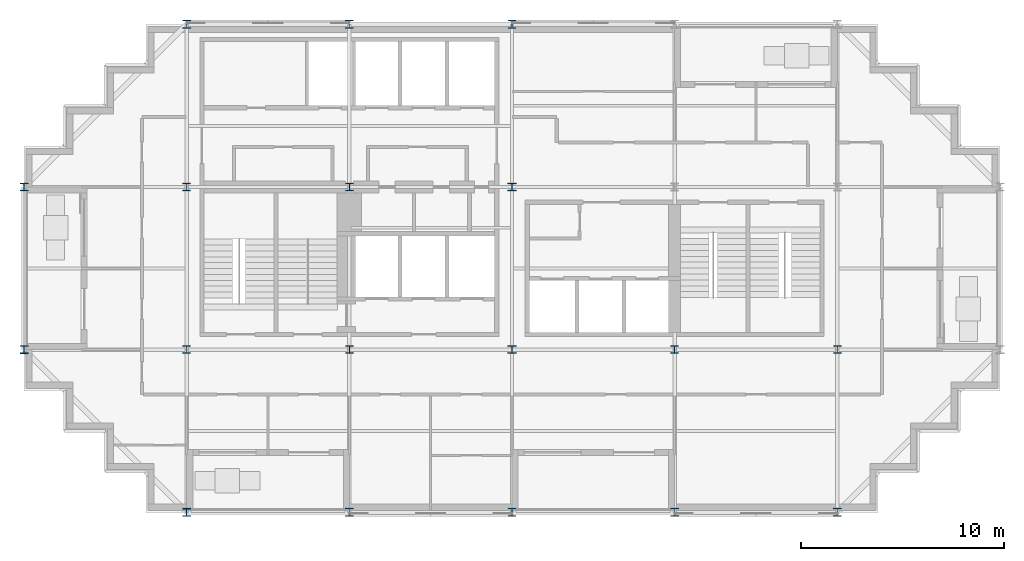
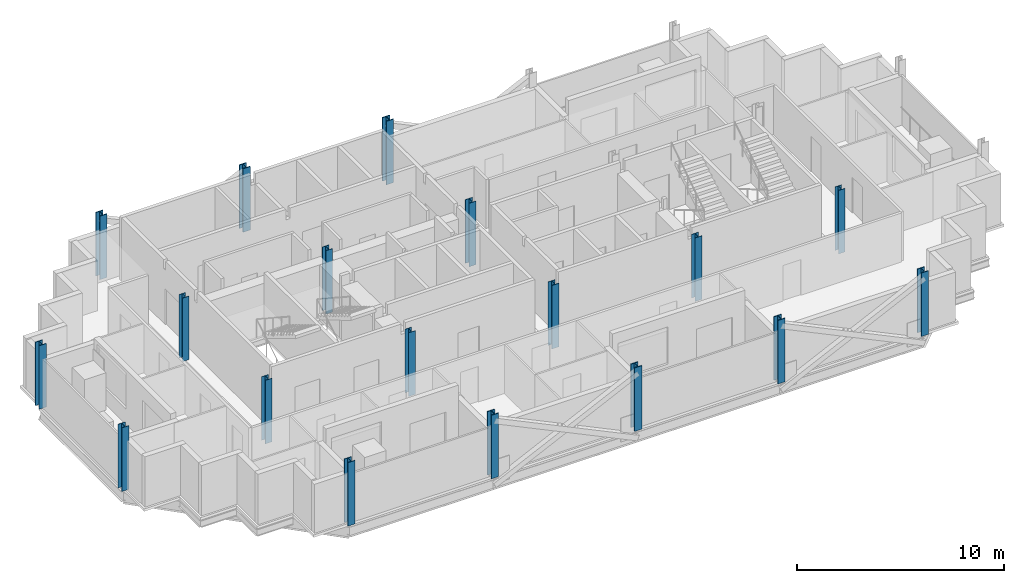
# One storey, part 1 of 10: 18 columns.
"""IFC4 building model written with IfcOpenShell, lengths in metres."""

from ifc_helpers import new_model, si_unit, direction, frame, origin, origin_2d, place, context, subcontext, project, spatial, i_section, extrude, material, material_profile, profile_set, type_object, element, save


model = new_model("IFC4")

# Units and contexts
model_context = context("Model", 3, precision=1e-05, world=origin(), true_north=direction((0.0, 1.0)))
body_context = subcontext(model_context, "Body", "Model", "MODEL_VIEW")
ifc_project = project(units=[si_unit("LENGTHUNIT", "METRE"), si_unit("AREAUNIT", "SQUARE_METRE"), si_unit("VOLUMEUNIT", "CUBIC_METRE"), si_unit("PLANEANGLEUNIT", "RADIAN"), si_unit("MASSUNIT", "GRAM", prefix="KILO")], contexts=[model_context])

# Site, building, storey
site_placement = place(None, origin())
site = spatial("IfcSite", under=ifc_project, at=site_placement, CompositionType="ELEMENT")
building_placement = place(site_placement, origin())
building = spatial("IfcBuilding", under=site, at=building_placement, Name="Immortelle Media Tower", CompositionType="ELEMENT")
storey_placement = place(building_placement, frame((0.0, 0.0, 237.0)))
storey = spatial("IfcBuildingStorey", under=building, at=storey_placement, Name="L51", CompositionType="ELEMENT", Elevation=237.0)

# Columns
ifc_material = material(Name="Steel ASTM A992 Gr 50", Category="steel")
ifc_material_profile_1 = material_profile(ifc_material, i_section(OverallWidth=0.373046875, OverallDepth=0.367919921875, WebThickness=0.014892578125, FlangeThickness=0.02392578125, at=origin_2d()), Name="W14x120")
ifc_profile_set_1 = profile_set([ifc_material_profile_1], Name="Steel ASTM A992 Gr 50")
column_type_1 = type_object("IfcColumnType", Name="W14x120 column", PredefinedType="COLUMN", material=ifc_profile_set_1)
for number, where, z_axis, x_axis, name in (
    (1, (8.0, 8.0, 0.0), (0.0, 0.0, 1.0), (1.0, 0.0, 0.0), "Column 2/B"),
    (2, (8.0, 16.0, 0.0), (0.0, 0.0, 1.0), (1.0, 0.0, 0.0), "Column 2/C"),
    (3, (16.0, 8.0, 0.0), (0.0, 0.0, 1.0), (1.0, 0.0, 0.0), "Column 3/B"),
    (4, (16.0, 16.0, 0.0), (0.0, 0.0, 1.0), (1.0, 0.0, 0.0), "Column 3/C"),
    (5, (32.0, 8.0, 0.0), (0.0, 0.0, 1.0), (1.0, 0.0, 0.0), "Column 5/B"),
    (6, (40.0, 8.0, 0.0), (0.0, 0.0, 1.0), (1.0, 0.0, 0.0), "Column 6/B"),
):
    element("IfcColumn", number, at=place(storey_placement, frame(where, z_axis=z_axis, x_axis=x_axis)), inside=storey, type_object=column_type_1, Name=name, PredefinedType="COLUMN", context=body_context, shape_type="SweptSolid", body=[
        extrude(i_section(OverallWidth=0.373046875, OverallDepth=0.367919921875, WebThickness=0.014892578125, FlangeThickness=0.02392578125, at=origin_2d()), origin(), (0.0, 0.0, 1.0), 3.75),
    ])
ifc_material_profile_2 = material_profile(ifc_material, i_section(OverallWidth=0.39404296875, OverallDepth=0.3759765625, WebThickness=0.01708984375, FlangeThickness=0.028076171875, at=origin_2d()), Name="W14x145")
ifc_profile_set_2 = profile_set([ifc_material_profile_2], Name="Steel ASTM A992 Gr 50")
column_type_2 = type_object("IfcColumnType", Name="W14x145 column", PredefinedType="COLUMN", material=ifc_profile_set_2)
for number, where, z_axis, x_axis, name in (
    (7, (24.0, 8.0, 0.0), (0.0, 0.0, 1.0), (1.0, 0.0, 0.0), "Column 4/B"),
    (8, (24.0, 16.0, 0.0), (0.0, 0.0, 1.0), (1.0, 0.0, 0.0), "Column 4/C"),
):
    element("IfcColumn", number, at=place(storey_placement, frame(where, z_axis=z_axis, x_axis=x_axis)), inside=storey, type_object=column_type_2, Name=name, PredefinedType="COLUMN", context=body_context, shape_type="SweptSolid", body=[
        extrude(i_section(OverallWidth=0.39404296875, OverallDepth=0.3759765625, WebThickness=0.01708984375, FlangeThickness=0.028076171875, at=origin_2d()), origin(), (0.0, 0.0, 1.0), 3.75),
    ])
ifc_material_profile_3 = material_profile(ifc_material, i_section(OverallWidth=0.39892578125, OverallDepth=0.385986328125, WebThickness=0.02099609375, FlangeThickness=0.032958984375, at=origin_2d()), Name="W14x176")
ifc_profile_set_3 = profile_set([ifc_material_profile_3], Name="Steel ASTM A992 Gr 50")
column_type_3 = type_object("IfcColumnType", Name="W14x176 column", PredefinedType="COLUMN", material=ifc_profile_set_3)
for number, where, z_axis, x_axis, name in (
    (9, (0.0, 8.0, 0.0), (0.0, 0.0, 1.0), (1.0, 0.0, 0.0), "Column 1/B"),
    (10, (0.0, 16.0, 0.0), (0.0, 0.0, 1.0), (1.0, 0.0, 0.0), "Column 1/C"),
    (11, (8.0, 0.0, 0.0), (0.0, 0.0, 1.0), (1.0, 0.0, 0.0), "Column 2/A"),
):
    element("IfcColumn", number, at=place(storey_placement, frame(where, z_axis=z_axis, x_axis=x_axis)), inside=storey, type_object=column_type_3, Name=name, PredefinedType="COLUMN", context=body_context, shape_type="SweptSolid", body=[
        extrude(i_section(OverallWidth=0.39892578125, OverallDepth=0.385986328125, WebThickness=0.02099609375, FlangeThickness=0.032958984375, at=origin_2d()), origin(), (0.0, 0.0, 1.0), 3.75),
    ])
ifc_material_profile_4 = material_profile(ifc_material, i_section(OverallWidth=0.406005859375, OverallDepth=0.4169921875, WebThickness=0.030029296875, FlangeThickness=0.048095703125, at=origin_2d()), Name="W14x257")
ifc_profile_set_4 = profile_set([ifc_material_profile_4], Name="Steel ASTM A992 Gr 50")
column_type_4 = type_object("IfcColumnType", Name="W14x257 column", PredefinedType="COLUMN", material=ifc_profile_set_4)
for number, where, z_axis, x_axis, name in (
    (12, (8.0, 24.0, 0.0), (0.0, 0.0, 1.0), (1.0, 0.0, 0.0), "Column 2/D"),
    (13, (16.0, 0.0, 0.0), (0.0, 0.0, 1.0), (1.0, 0.0, 0.0), "Column 3/A"),
    (14, (16.0, 24.0, 0.0), (0.0, 0.0, 1.0), (1.0, 0.0, 0.0), "Column 3/D"),
    (15, (24.0, 0.0, 0.0), (0.0, 0.0, 1.0), (1.0, 0.0, 0.0), "Column 4/A"),
    (16, (24.0, 24.0, 0.0), (0.0, 0.0, 1.0), (1.0, 0.0, 0.0), "Column 4/D"),
    (17, (32.0, 0.0, 0.0), (0.0, 0.0, 1.0), (1.0, 0.0, 0.0), "Column 5/A"),
    (18, (40.0, 0.0, 0.0), (0.0, 0.0, 1.0), (1.0, 0.0, 0.0), "Column 6/A"),
):
    element("IfcColumn", number, at=place(storey_placement, frame(where, z_axis=z_axis, x_axis=x_axis)), inside=storey, type_object=column_type_4, Name=name, PredefinedType="COLUMN", context=body_context, shape_type="SweptSolid", body=[
        extrude(i_section(OverallWidth=0.406005859375, OverallDepth=0.4169921875, WebThickness=0.030029296875, FlangeThickness=0.048095703125, at=origin_2d()), origin(), (0.0, 0.0, 1.0), 3.75),
    ])

save(model, "model.ifc")
